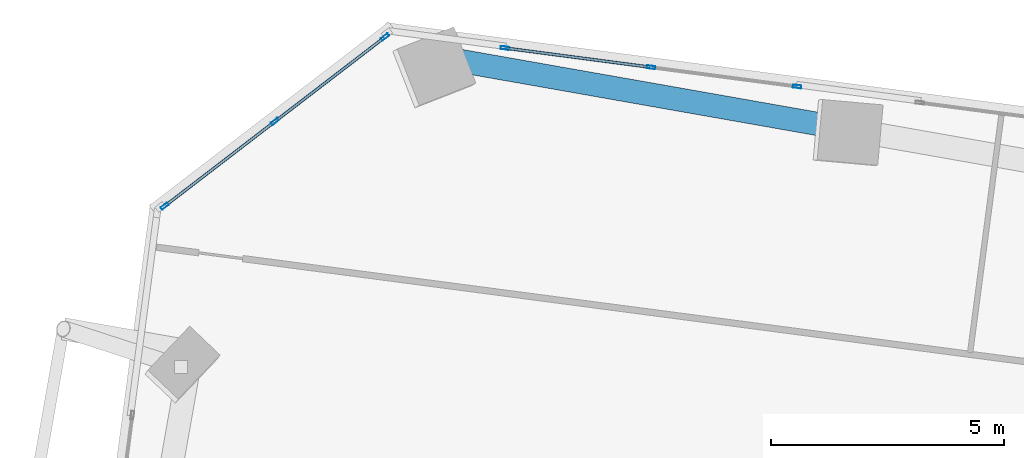
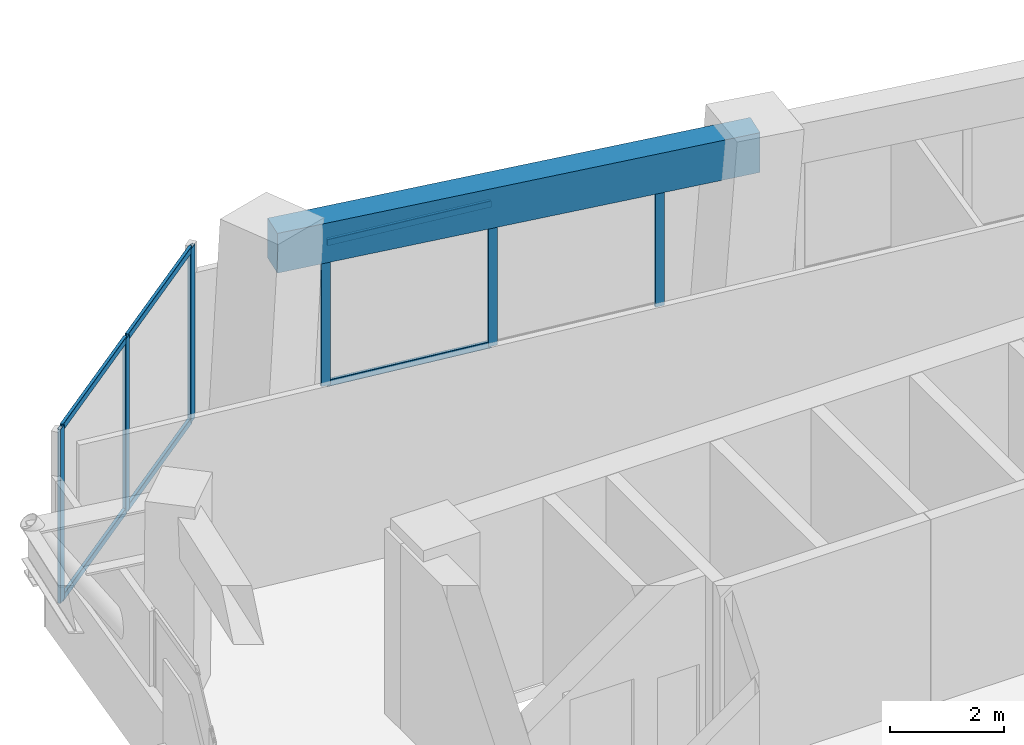
# One storey, part 13 of 24: 12 members, 1 beam, 2 elements without a shape of their own.
"""IFC4 building model written with IfcOpenShell, lengths in metres."""

from ifc_helpers import new_model, si_unit, direction, frame, origin, origin_2d, place, context, subcontext, project, spatial, rectangle, hollow_rectangle, extrude, source, transform, mapped, material, material_profile, profile_set, type_object, element, aggregate, save


model = new_model("IFC4")

# Units and contexts
model_context = context("Model", 3, precision=1e-05, world=origin(), true_north=direction((0.0, 1.0)))
body_context = subcontext(model_context, "Body", "Model", "MODEL_VIEW")
ifc_project = project(units=[si_unit("LENGTHUNIT", "METRE"), si_unit("AREAUNIT", "SQUARE_METRE"), si_unit("VOLUMEUNIT", "CUBIC_METRE"), si_unit("PLANEANGLEUNIT", "RADIAN"), si_unit("MASSUNIT", "GRAM", prefix="KILO")], contexts=[model_context])

# Site, building, storey
site_placement = place(None, origin())
site = spatial("IfcSite", under=ifc_project, at=site_placement, CompositionType="ELEMENT")
building_placement = place(site_placement, origin())
building = spatial("IfcBuilding", under=site, at=building_placement, Name="Torre Montelarca", CompositionType="ELEMENT")
storey_placement = place(building_placement, frame((0.0, 0.0, 70.60009765625)))
storey = spatial("IfcBuildingStorey", under=building, at=storey_placement, Name="L15", CompositionType="ELEMENT", Elevation=70.60009765625)

# Beam
ifc_material_1 = material(Name="Concrete C55/67", Category="concrete")
ifc_material_profile_1 = material_profile(ifc_material_1, rectangle(XDim=0.5, YDim=0.85009765625, at=origin_2d()), Name="RCB500X850", Category="concrete")
ifc_profile_set_1 = profile_set([ifc_material_profile_1], Name="Concrete C55/67")
beam_type = type_object("IfcBeamType", Name="BM-SP-RC850-EXT", PredefinedType="SPANDREL", material=ifc_profile_set_1)
shared_shape_1 = source(origin(), body_context, "Body", "SweptSolid", [
    extrude(rectangle(XDim=0.5, YDim=0.85009765625, at=origin_2d()), origin(), (0.0, 0.0, 1.0), 8.999755859375),
])
beam_placement = place(storey_placement, frame((11.82080078125, 49.09033203125, 3.534912109375), z_axis=(0.9848086733, -0.173642958372, 0.0), x_axis=(0.173642958372, 0.9848086733, 0.0)))
element("IfcBeam", 1, at=beam_placement, inside=storey, type_object=beam_type, Name="L15 Grid Girder X 9.0-18.0 at Y=47.1", PredefinedType="SPANDREL", context=body_context, shape_type="MappedRepresentation", body=[
    mapped(shared_shape_1, transform((0.0, 0.0, 0.0), scale=1.0)),
])

# Curtain wall, members
ifc_material_2 = material(Name="Insulated low-E laminated glass", Category="glass")
curtain_wall_type = type_object("IfcCurtainWallType", Name="CW-SYS-Z1", PredefinedType="USERDEFINED", material=ifc_material_2)
curtain_wall_1_placement = place(storey_placement, origin())
curtain_wall_1 = element("IfcCurtainWall", 2, at=curtain_wall_1_placement, inside=storey, type_object=curtain_wall_type, Name="L15 Curtain Wall Run CW-T3-L15-E09-B1", ObjectType="UNITISED GLAZING", PredefinedType="USERDEFINED")
ifc_material_3 = material(Name="Anodised aluminium AA 6063-T6", Category="aluminium")
ifc_material_profile_2 = material_profile(ifc_material_3, hollow_rectangle(XDim=0.06494140625, YDim=0.139892578125, WallThickness=0.00390625, InnerFilletRadius=0.00390625, OuterFilletRadius=0.008056640625, at=origin_2d()), Name="ALU65X140X4", Category="aluminium")
ifc_profile_set_2 = profile_set([ifc_material_profile_2], Name="Anodised aluminium AA 6063-T6")
member_type_1 = type_object("IfcMemberType", Name="CWT-ALU140", PredefinedType="USERDEFINED", material=ifc_profile_set_2)
shared_shape_2 = source(origin(), body_context, "Body", "SweptSolid", [
    extrude(hollow_rectangle(XDim=0.06494140625, YDim=0.139892578125, WallThickness=0.00390625, InnerFilletRadius=0.00390625, OuterFilletRadius=0.008056640625, at=origin_2d()), origin(), (0.0, 0.0, 1.0), 2.9189453125),
])
member_1_placement = place(storey_placement, frame((10.423583984375, 49.540771484375, 0.032470703125), z_axis=(-0.793357237782, -0.608756349666, 0.0), x_axis=(0.608756349666, -0.793357237782, 0.0)))
member_1 = element("IfcMember", 3, at=member_1_placement, type_object=member_type_1, Name="CW transom 1.1", ObjectType="TRANSOM", PredefinedType="USERDEFINED", context=body_context, shape_type="MappedRepresentation", body=[
    mapped(shared_shape_2, transform((0.0, 0.0, 0.0), scale=1.0)),
])
member_2_placement = place(storey_placement, frame((10.423583984375, 49.540771484375, 3.6875), z_axis=(-0.793357237782, -0.608756349666, 0.0), x_axis=(0.608756349666, -0.793357237782, 0.0)))
member_2 = element("IfcMember", 4, at=member_2_placement, type_object=member_type_1, Name="CW transom 1.2", ObjectType="TRANSOM", PredefinedType="USERDEFINED", context=body_context, shape_type="MappedRepresentation", body=[
    mapped(shared_shape_2, transform((0.0, 0.0, 0.0), scale=1.0)),
])
shared_shape_3 = source(origin(), body_context, "Body", "SweptSolid", [
    extrude(hollow_rectangle(XDim=0.06494140625, YDim=0.139892578125, WallThickness=0.00390625, InnerFilletRadius=0.00390625, OuterFilletRadius=0.008056640625, at=origin_2d()), origin(), (0.0, 0.0, 1.0), 2.918701171875),
])
member_3_placement = place(storey_placement, frame((8.056396484375, 47.724365234375, 0.032470703125), z_axis=(-0.793326237783, -0.608796748058, 0.0), x_axis=(0.608796748058, -0.793326237783, 0.0)))
member_3 = element("IfcMember", 5, at=member_3_placement, type_object=member_type_1, Name="CW transom 2.1", ObjectType="TRANSOM", PredefinedType="USERDEFINED", context=body_context, shape_type="MappedRepresentation", body=[
    mapped(shared_shape_3, transform((0.0, 0.0, 0.0), scale=1.0)),
])
member_4_placement = place(storey_placement, frame((8.056396484375, 47.724365234375, 3.6875), z_axis=(-0.793326237783, -0.608796748058, 0.0), x_axis=(0.608796748058, -0.793326237783, 0.0)))
member_4 = element("IfcMember", 6, at=member_4_placement, type_object=member_type_1, Name="CW transom 2.2", ObjectType="TRANSOM", PredefinedType="USERDEFINED", context=body_context, shape_type="MappedRepresentation", body=[
    mapped(shared_shape_3, transform((0.0, 0.0, 0.0), scale=1.0)),
])
ifc_material_profile_3 = material_profile(ifc_material_3, hollow_rectangle(XDim=0.06494140625, YDim=0.179931640625, WallThickness=0.00390625, InnerFilletRadius=0.00390625, OuterFilletRadius=0.008056640625, at=origin_2d()), Name="ALU65X180X4", Category="aluminium")
ifc_profile_set_3 = profile_set([ifc_material_profile_3], Name="Anodised aluminium AA 6063-T6")
member_type_2 = type_object("IfcMemberType", Name="CWM-ALU180", PredefinedType="MULLION", material=ifc_profile_set_3)
shared_shape_4 = source(origin(), body_context, "Body", "SweptSolid", [
    extrude(hollow_rectangle(XDim=0.06494140625, YDim=0.179931640625, WallThickness=0.00390625, InnerFilletRadius=0.00390625, OuterFilletRadius=0.008056640625, at=origin_2d()), origin(), (0.0, 0.0, 1.0), 3.719970703125),
])
member_5_placement = place(storey_placement, frame((10.44921875, 49.560546875, 0.0), z_axis=(0.0, 0.0, 1.0), x_axis=(0.608764194066, -0.793351218581, 0.0)))
member_5 = element("IfcMember", 7, at=member_5_placement, type_object=member_type_2, Name="CW mullion 1", PredefinedType="MULLION", context=body_context, shape_type="MappedRepresentation", body=[
    mapped(shared_shape_4, transform((0.0, 0.0, 0.0), scale=1.0)),
])
member_6_placement = place(storey_placement, frame((8.082275390625, 47.744140625, 0.0), z_axis=(0.0, 0.0, 1.0), x_axis=(0.608764194066, -0.793351218581, 0.0)))
member_6 = element("IfcMember", 8, at=member_6_placement, type_object=member_type_2, Name="CW mullion 2", PredefinedType="MULLION", context=body_context, shape_type="MappedRepresentation", body=[
    mapped(shared_shape_4, transform((0.0, 0.0, 0.0), scale=1.0)),
])
member_7_placement = place(storey_placement, frame((5.715087890625, 45.927734375, 0.0), z_axis=(0.0, 0.0, 1.0), x_axis=(0.608764194066, -0.793351218581, 0.0)))
member_7 = element("IfcMember", 9, at=member_7_placement, type_object=member_type_2, Name="CW mullion 3", PredefinedType="MULLION", context=body_context, shape_type="MappedRepresentation", body=[
    mapped(shared_shape_4, transform((0.0, 0.0, 0.0), scale=1.0)),
])
aggregate(curtain_wall_1, [member_5, member_6, member_7, member_1, member_2, member_3, member_4])

curtain_wall_2_placement = place(storey_placement, origin())
curtain_wall_2 = element("IfcCurtainWall", 10, at=curtain_wall_2_placement, inside=storey, type_object=curtain_wall_type, Name="L15 Curtain Wall Run CW-T3-L15-E08-B3", ObjectType="UNITISED GLAZING", PredefinedType="USERDEFINED")
shared_shape_5 = source(origin(), body_context, "Body", "SweptSolid", [
    extrude(hollow_rectangle(XDim=0.06494140625, YDim=0.179931640625, WallThickness=0.00390625, InnerFilletRadius=0.00390625, OuterFilletRadius=0.008056640625, at=origin_2d()), origin(), (0.0, 0.0, 1.0), 3.074951171875),
])
member_8_placement = place(storey_placement, frame((19.303466796875, 48.497802734375, 0.0), z_axis=(0.0, 0.0, 1.0), x_axis=(-0.130527685501, -0.991444664778, 0.0)))
member_8 = element("IfcMember", 11, at=member_8_placement, type_object=member_type_2, Name="CW mullion 1", PredefinedType="MULLION", context=body_context, shape_type="MappedRepresentation", body=[
    mapped(shared_shape_5, transform((0.0, 0.0, 0.0), scale=1.0)),
])
member_9_placement = place(storey_placement, frame((16.163818359375, 48.9111328125, 0.0), z_axis=(0.0, 0.0, 1.0), x_axis=(-0.130527685501, -0.991444664778, 0.0)))
member_9 = element("IfcMember", 12, at=member_9_placement, type_object=member_type_2, Name="CW mullion 2", PredefinedType="MULLION", context=body_context, shape_type="MappedRepresentation", body=[
    mapped(shared_shape_5, transform((0.0, 0.0, 0.0), scale=1.0)),
])
member_10_placement = place(storey_placement, frame((13.02392578125, 49.324462890625, 0.0), z_axis=(0.0, 0.0, 1.0), x_axis=(-0.130527685501, -0.991444664778, 0.0)))
member_10 = element("IfcMember", 13, at=member_10_placement, type_object=member_type_2, Name="CW mullion 3", PredefinedType="MULLION", context=body_context, shape_type="MappedRepresentation", body=[
    mapped(shared_shape_5, transform((0.0, 0.0, 0.0), scale=1.0)),
])
shared_shape_6 = source(origin(), body_context, "Body", "SweptSolid", [
    extrude(hollow_rectangle(XDim=0.06494140625, YDim=0.139892578125, WallThickness=0.00390625, InnerFilletRadius=0.00390625, OuterFilletRadius=0.008056640625, at=origin_2d()), origin(), (0.0, 0.0, 1.0), 3.10205078125),
])
member_11_placement = place(storey_placement, frame((16.131591796875, 48.91552734375, 0.032470703125), z_axis=(-0.991449204936, 0.130493195347, 0.0), x_axis=(-0.130493195347, -0.991449204936, 0.0)))
member_11 = element("IfcMember", 14, at=member_11_placement, type_object=member_type_1, Name="CW transom 2.1", ObjectType="TRANSOM", PredefinedType="USERDEFINED", context=body_context, shape_type="MappedRepresentation", body=[
    mapped(shared_shape_6, transform((0.0, 0.0, 0.0), scale=1.0)),
])
member_12_placement = place(storey_placement, frame((16.131591796875, 48.91552734375, 3.04248046875), z_axis=(-0.991449204936, 0.130493195347, 0.0), x_axis=(-0.130493195347, -0.991449204936, 0.0)))
member_12 = element("IfcMember", 15, at=member_12_placement, type_object=member_type_1, Name="CW transom 2.2", ObjectType="TRANSOM", PredefinedType="USERDEFINED", context=body_context, shape_type="MappedRepresentation", body=[
    mapped(shared_shape_6, transform((0.0, 0.0, 0.0), scale=1.0)),
])
aggregate(curtain_wall_2, [member_8, member_9, member_10, member_11, member_12])

save(model, "model.ifc")
